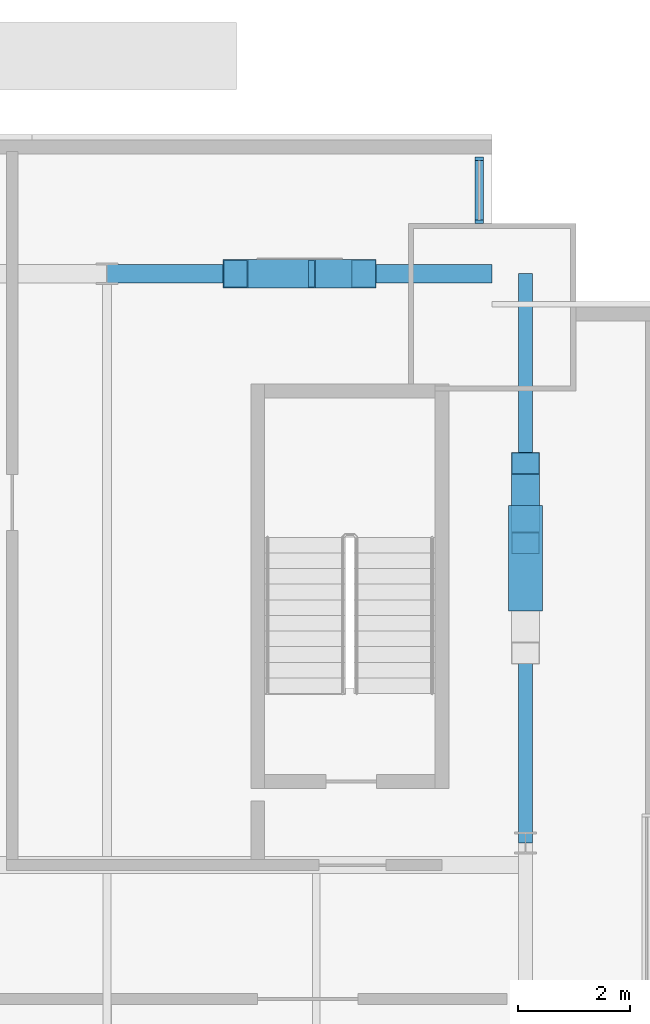
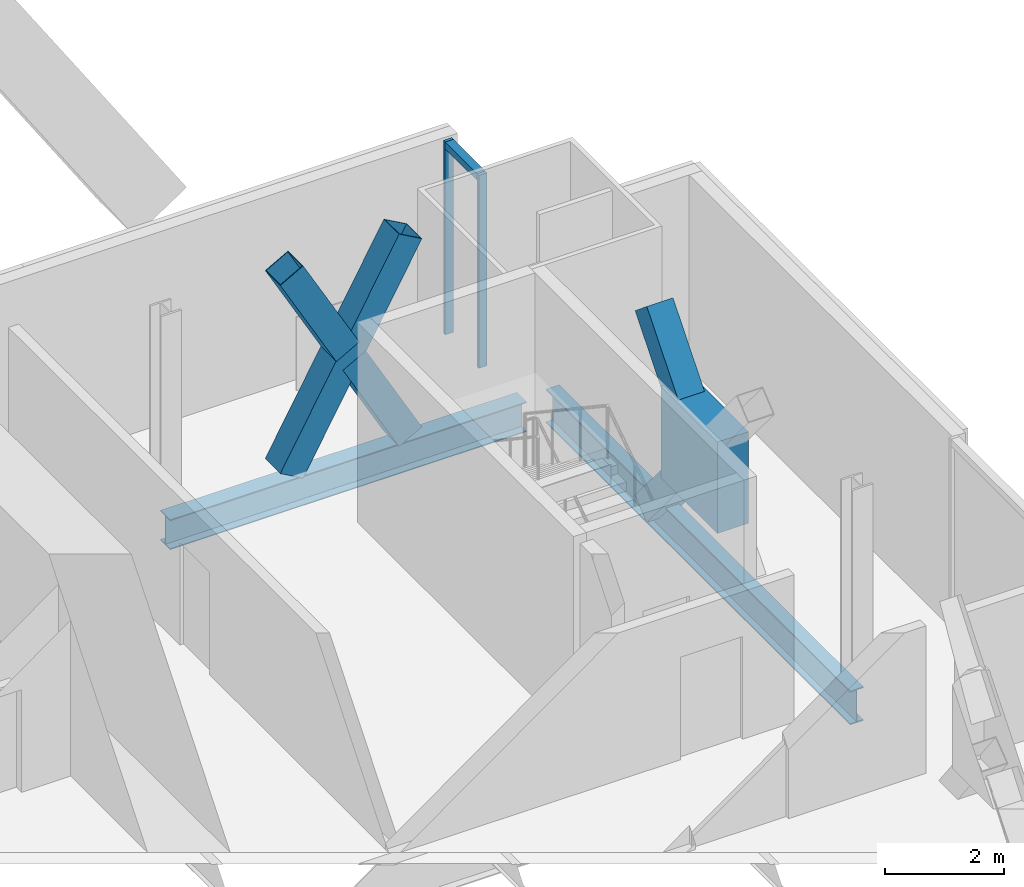
# One storey, part 14 of 22: 9 members, 2 beams, 1 element without a shape of its own.
"""IFC4 building model written with IfcOpenShell, lengths in metres."""

from ifc_helpers import new_model, si_unit, direction, frame, origin, origin_2d, place, context, subcontext, project, spatial, rectangle, hollow_rectangle, i_section, extrude, material, material_profile, profile_set, type_object, element, aggregate, save


model = new_model("IFC4")

# Units and contexts
model_context = context("Model", 3, precision=1e-05, world=origin(), true_north=direction((0.0, 1.0)))
body_context = subcontext(model_context, "Body", "Model", "MODEL_VIEW")
ifc_project = project(units=[si_unit("LENGTHUNIT", "METRE"), si_unit("AREAUNIT", "SQUARE_METRE"), si_unit("VOLUMEUNIT", "CUBIC_METRE"), si_unit("PLANEANGLEUNIT", "RADIAN"), si_unit("MASSUNIT", "GRAM", prefix="KILO")], contexts=[model_context])

# Site, building, storey
site_placement = place(None, origin())
site = spatial("IfcSite", under=ifc_project, at=site_placement, CompositionType="ELEMENT")
building_placement = place(site_placement, origin())
building = spatial("IfcBuilding", under=site, at=building_placement, Name="Bicima Exchange Tower", CompositionType="ELEMENT")
storey_placement = place(building_placement, frame((0.0, 0.0, 94.0)))
storey = spatial("IfcBuildingStorey", under=building, at=storey_placement, Name="L19", CompositionType="ELEMENT", Elevation=94.0)

# Member
ifc_material_1 = material(Name="Steel ASTM A572 Gr 50", Category="steel")
ifc_material_profile_1 = material_profile(ifc_material_1, rectangle(XDim=0.60791015625, YDim=1.891845703125, at=origin_2d()))
ifc_profile_set_1 = profile_set([ifc_material_profile_1], Name="Steel ASTM A572 Gr 50")
member_type_1 = type_object("IfcMemberType", Name="Brace crossing node 608 x 1892", PredefinedType="POST", material=ifc_profile_set_1)
member_1_placement = place(storey_placement, frame((33.60009765625, -7.5, 0.617431640625), z_axis=(0.0, 0.0, 1.0), x_axis=(1.0, 0.0, 0.0)))
element("IfcMember", 1, at=member_1_placement, inside=storey, type_object=member_type_1, Name="Brace crossing node block", PredefinedType="POST", context=body_context, shape_type="SweptSolid", body=[
    extrude(rectangle(XDim=0.60791015625, YDim=1.891845703125, at=origin_2d()), origin(), (0.0, 0.0, 1.0), 1.871826171875),
])

# Beam
ifc_material_2 = material(Name="Steel ASTM A992 Gr 50", Category="steel")
ifc_material_profile_2 = material_profile(ifc_material_2, i_section(OverallWidth=0.256591796875, OverallDepth=0.693359375, WebThickness=0.014404296875, FlangeThickness=0.023681640625, at=origin_2d()))
ifc_profile_set_2 = profile_set([ifc_material_profile_2], Name="Steel ASTM A992 Gr 50")
beam_type_1 = type_object("IfcBeamType", Name="End girder W27x114", PredefinedType="BEAM", material=ifc_profile_set_2)
beam_1_placement = place(storey_placement, frame((33.60009765625, -2.39990234375, -0.49658203125), z_axis=(0.0, -1.0, 0.0), x_axis=(1.0, 0.0, 0.0)))
element("IfcBeam", 2, at=beam_1_placement, inside=storey, type_object=beam_type_1, Name="End girder", PredefinedType="BEAM", context=body_context, shape_type="SweptSolid", body=[
    extrude(i_section(OverallWidth=0.256591796875, OverallDepth=0.693359375, WebThickness=0.014404296875, FlangeThickness=0.023681640625, at=origin_2d()), origin(), (0.0, 0.0, 1.0), 10.2001953125),
])

# Curtain wall, members
ifc_material_3 = material(Name="Anodised bronze aluminium", Category="aluminium")
curtain_wall_type = type_object("IfcCurtainWallType", Name="Front glass wall", PredefinedType="NOTDEFINED", material=ifc_material_3)
curtain_wall_placement = place(storey_placement, origin())
curtain_wall = element("IfcCurtainWall", 3, at=curtain_wall_placement, inside=storey, type_object=curtain_wall_type, Name="Front glass wall L19 run 20", PredefinedType="NOTDEFINED")
ifc_material_profile_3 = material_profile(ifc_material_3, rectangle(XDim=0.159912109375, YDim=0.06005859375, at=origin_2d()))
ifc_profile_set_3 = profile_set([ifc_material_profile_3], Name="Anodised bronze aluminium")
member_type_2 = type_object("IfcMemberType", Name="Front glass wall mullion 60 x 160", PredefinedType="MULLION", material=ifc_profile_set_3)
member_2_placement = place(storey_placement, frame((32.77001953125, -1.469970703125, 0.0), z_axis=(0.0, 0.0, 1.0), x_axis=(-1.0, 0.0, 0.0)))
member_2 = element("IfcMember", 4, at=member_2_placement, type_object=member_type_2, Name="Front glass wall mullion 1", PredefinedType="MULLION", context=body_context, shape_type="SweptSolid", body=[
    extrude(rectangle(XDim=0.159912109375, YDim=0.06005859375, at=origin_2d()), origin(), (0.0, 0.0, 1.0), 3.949951171875),
])
member_3_placement = place(storey_placement, frame((32.77001953125, -0.340087890625, 0.0), z_axis=(0.0, 0.0, 1.0), x_axis=(-1.0, 0.0, 0.0)))
member_3 = element("IfcMember", 5, at=member_3_placement, type_object=member_type_2, Name="Front glass wall mullion 2", PredefinedType="MULLION", context=body_context, shape_type="SweptSolid", body=[
    extrude(rectangle(XDim=0.159912109375, YDim=0.06005859375, at=origin_2d()), origin(), (0.0, 0.0, 1.0), 3.949951171875),
])
ifc_material_profile_4 = material_profile(ifc_material_3, rectangle(XDim=0.159912109375, YDim=0.139892578125, at=origin_2d()))
ifc_profile_set_4 = profile_set([ifc_material_profile_4], Name="Anodised bronze aluminium")
member_type_3 = type_object("IfcMemberType", Name="Front glass wall transom 140 x 160", PredefinedType="USERDEFINED", material=ifc_profile_set_4)
member_4_placement = place(storey_placement, frame((32.77001953125, -1.43994140625, 3.8798828125), z_axis=(0.0, 1.0, 0.0), x_axis=(-1.0, 0.0, 0.0)))
member_4 = element("IfcMember", 6, at=member_4_placement, type_object=member_type_3, Name="Front glass wall transom 1.1", ObjectType="TRANSOM", PredefinedType="USERDEFINED", context=body_context, shape_type="SweptSolid", body=[
    extrude(rectangle(XDim=0.159912109375, YDim=0.139892578125, at=origin_2d()), origin(), (0.0, 0.0, 1.0), 1.06982421875),
])
aggregate(curtain_wall, [member_2, member_3, member_4])

# Members
ifc_material_profile_5 = material_profile(ifc_material_1, hollow_rectangle(XDim=0.508056640625, YDim=0.508056640625, WallThickness=0.0146484375, at=origin_2d()))
ifc_profile_set_5 = profile_set([ifc_material_profile_5], Name="Steel ASTM A572 Gr 50")
member_type_4 = type_object("IfcMemberType", Name="Mega brace HSS20x20x5/8", PredefinedType="BRACE", material=ifc_profile_set_5)
member_5_placement = place(storey_placement, frame((28.39990234375, -2.39990234375, 0.0), z_axis=(0.489250010841, 0.0, 0.87214358158), x_axis=(0.0, 1.0, 0.0)))
element("IfcMember", 7, at=member_5_placement, inside=storey, type_object=member_type_4, Name="Mega brace rear", PredefinedType="BRACE", context=body_context, shape_type="SweptSolid", body=[
    extrude(hollow_rectangle(XDim=0.508056640625, YDim=0.508056640625, WallThickness=0.0146484375, at=origin_2d()), origin(), (0.0, 0.0, 1.0), 4.701171875),
])
for number, where, z_axis, x_axis, name in (
    (8, (30.699951171875, -2.39990234375, 0.0), (-0.489202058925, 0.0, 0.872170479633), (0.0, -1.0, 0.0), "Mega brace rear"),
    (9, (29.4873046875, -2.39990234375, 2.161865234375), (-0.489285619869, 0.0, 0.87212360488), (0.0, -1.0, 0.0), "Mega brace rear"),
):
    element("IfcMember", number, at=place(storey_placement, frame(where, z_axis=z_axis, x_axis=x_axis)), inside=storey, type_object=member_type_4, Name=name, PredefinedType="BRACE", context=body_context, shape_type="SweptSolid", body=[
        extrude(hollow_rectangle(XDim=0.508056640625, YDim=0.508056640625, WallThickness=0.0146484375, at=origin_2d()), origin(), (0.0, 0.0, 1.0), 2.222412109375),
    ])
for number, where, z_axis, x_axis, name in (
    (10, (33.60009765625, -5.800048828125, -0.49658203125), (0.0, -0.638345341101, 0.769750105875), (1.0, 0.0, 0.0), "Mega brace east end"),
    (11, (33.60009765625, -7.226806640625, 1.8828125), (0.0, 0.638345341101, 0.769750105875), (-1.0, 0.0, 0.0), "Mega brace east end"),
):
    element("IfcMember", number, at=place(storey_placement, frame(where, z_axis=z_axis, x_axis=x_axis)), inside=storey, type_object=member_type_4, Name=name, PredefinedType="BRACE", context=body_context, shape_type="SweptSolid", body=[
        extrude(hollow_rectangle(XDim=0.508056640625, YDim=0.508056640625, WallThickness=0.0146484375, at=origin_2d()), origin(), (0.0, 0.0, 1.0), 2.235107421875),
    ])

# Beam
ifc_material_profile_6 = material_profile(ifc_material_2, i_section(OverallWidth=0.3251953125, OverallDepth=0.612060546875, WebThickness=0.0126953125, FlangeThickness=0.01904296875, at=origin_2d()))
ifc_profile_set_6 = profile_set([ifc_material_profile_6], Name="Steel ASTM A992 Gr 50")
beam_type_2 = type_object("IfcBeamType", Name="Rear girder W24x104", PredefinedType="BEAM", material=ifc_profile_set_6)
beam_2_placement = place(storey_placement, frame((26.10009765625, -2.39990234375, -0.4560546875), z_axis=(1.0, 0.0, 0.0), x_axis=(0.0, 1.0, 0.0)))
element("IfcBeam", 12, at=beam_2_placement, inside=storey, type_object=beam_type_2, Name="Rear girder", PredefinedType="BEAM", context=body_context, shape_type="SweptSolid", body=[
    extrude(i_section(OverallWidth=0.3251953125, OverallDepth=0.612060546875, WebThickness=0.0126953125, FlangeThickness=0.01904296875, at=origin_2d()), origin(), (0.0, 0.0, 1.0), 6.89990234375),
])

save(model, "model.ifc")
